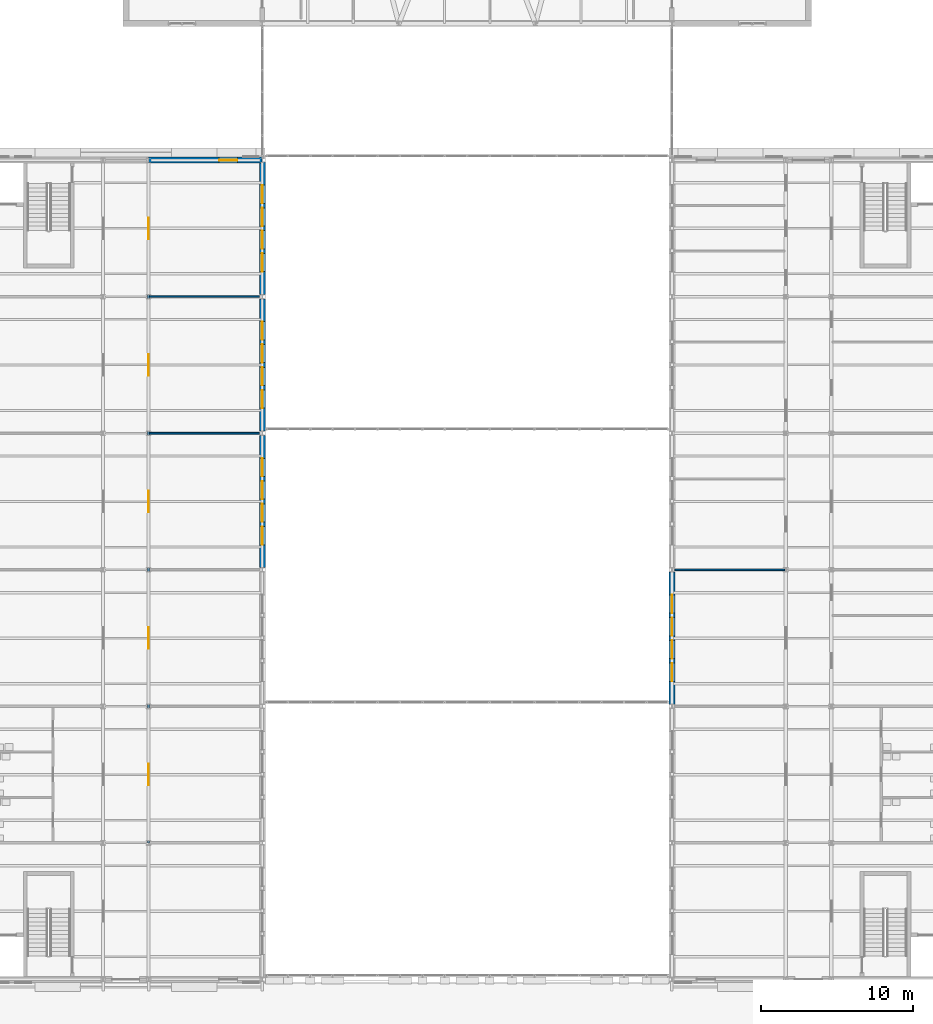
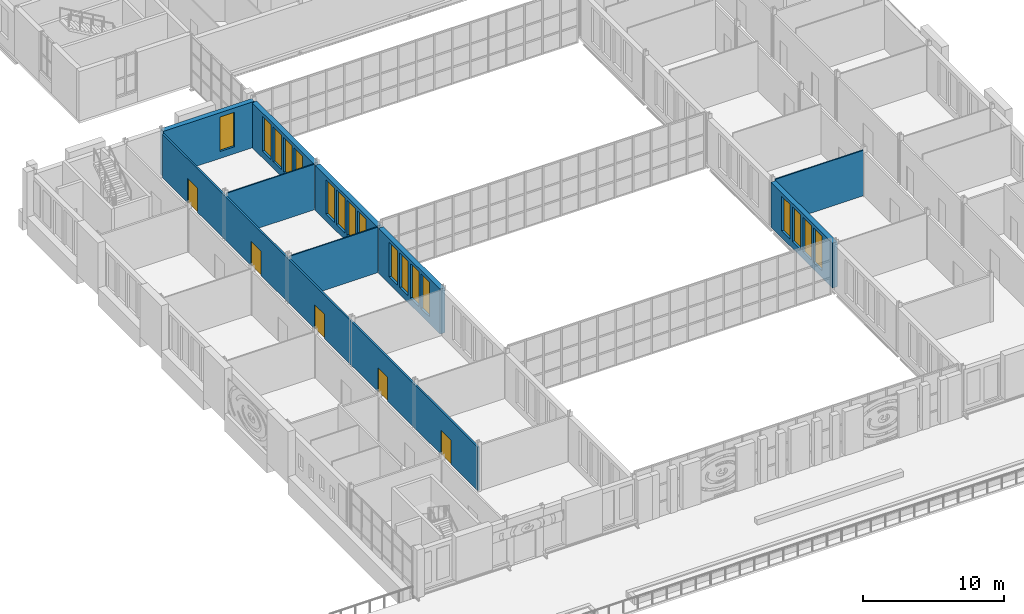
# One storey, part 76 of 134: 17 windows, 9 walls, 5 doors, 22 openings.
"""IFC4 building model written with IfcOpenShell, lengths in metres."""

from ifc_helpers import new_model, si_unit, direction, frame, frame_2d, origin, place, context, subcontext, project, spatial, rectangle, extrude, material, layer, layer_set, type_object, element, fill, save


model = new_model("IFC4")

# Units and contexts
model_context = context("Model", 3, precision=1e-05, world=origin(), true_north=direction((0.0, 1.0)))
body_context = subcontext(model_context, "Body", "Model", "MODEL_VIEW")
ifc_project = project(units=[si_unit("LENGTHUNIT", "METRE"), si_unit("AREAUNIT", "SQUARE_METRE"), si_unit("VOLUMEUNIT", "CUBIC_METRE"), si_unit("PLANEANGLEUNIT", "RADIAN"), si_unit("MASSUNIT", "GRAM", prefix="KILO")], contexts=[model_context])

# Site, building, storey
site_placement = place(None, origin())
site = spatial("IfcSite", under=ifc_project, at=site_placement, CompositionType="ELEMENT")
building_placement = place(site_placement, origin())
building = spatial("IfcBuilding", under=site, at=building_placement, Name="Golden Quay Civic Hall", CompositionType="ELEMENT")
storey_placement = place(building_placement, frame((0.0, 0.0, 5.39990234375)))
storey = spatial("IfcBuildingStorey", under=building, at=storey_placement, Name="L01", CompositionType="ELEMENT", Elevation=5.39990234375)

# Walls
ifc_material_1 = material(Name="Plasterboard on steel studs", Category="steel")
ifc_layer_1 = layer(ifc_material_1, 0.10009765625)
ifc_layer_set_1 = layer_set([ifc_layer_1], Name="Partition 100 stud")
wall_type_1 = type_object("IfcWallType", Name="Partition 100 stud", PredefinedType="PARTITIONING", material=ifc_layer_set_1)
for number, where, z_axis, x_axis, name in (
    (1, (64.574951171875, 36.0, 0.0), (0.0, 0.0, 1.0), (1.0, 0.0, 0.0), "Partition L01-007"),
    (2, (64.574951171875, 45.0, 0.0), (0.0, 0.0, 1.0), (1.0, 0.0, 0.0), "Partition L01-008"),
    (3, (99.199951171875, 27.0, 0.0), (0.0, 0.0, 1.0), (1.0, 0.0, 0.0), "Partition L01-008"),
):
    element("IfcWall", number, at=place(storey_placement, frame(where, z_axis=z_axis, x_axis=x_axis)), inside=storey, type_object=wall_type_1, Name=name, PredefinedType="PARTITIONING", context=body_context, shape_type="SweptSolid", body=[
        extrude(rectangle(XDim=7.22509765625, YDim=0.10009765625, at=frame_2d((3.612548828125, 0.0))), origin(), (0.0, 0.0, 1.0), 3.9501953125),
    ])

# Wall, openings, doors
ifc_material_2 = material(Name="Plasterboard on steel studs", Category="steel")
ifc_layer_2 = layer(ifc_material_2, 0.14990234375)
ifc_layer_set_2 = layer_set([ifc_layer_2], Name="Partition 150 stud fire EI 60")
wall_type_2 = type_object("IfcWallType", Name="Partition 150 stud fire EI 60", PredefinedType="PARTITIONING", material=ifc_layer_set_2)
wall_1_placement = place(storey_placement, frame((64.5, 9.0, 0.0), z_axis=(0.0, 0.0, 1.0), x_axis=(0.0, 1.0, 0.0)))
wall_1 = element("IfcWall", 4, at=wall_1_placement, inside=storey, type_object=wall_type_2, Name="Partition L01-011", PredefinedType="PARTITIONING", context=body_context, shape_type="SweptSolid", body=[
    extrude(rectangle(XDim=44.800048828125, YDim=0.14990234375, at=frame_2d((22.39990234375, 0.0))), origin(), (0.0, 0.0, 1.0), 3.780029296875),
])
opening_1_placement = place(wall_1_placement, frame((3.800048828125, 0.0, 0.0)))
opening_1 = element("IfcOpeningElement", 5, at=opening_1_placement, cuts=wall_1, Name="Opening L01-D094", PredefinedType="OPENING", context=body_context, shape_type="SweptSolid", body=[
    extrude(rectangle(XDim=1.39990234375, YDim=2.10009765625, at=frame_2d((0.699951171875, 1.050048828125))), frame((0.0, 0.0849609375, 0.0), z_axis=(0.0, -1.0, 0.0), x_axis=(1.0, 0.0, 0.0)), (0.0, 0.0, 1.0), 0.169921875),
])
opening_2_placement = place(wall_1_placement, frame((12.800048828125, 0.0, 0.0)))
opening_2 = element("IfcOpeningElement", 6, at=opening_2_placement, cuts=wall_1, Name="Opening L01-D095", PredefinedType="OPENING", context=body_context, shape_type="SweptSolid", body=[
    extrude(rectangle(XDim=1.39990234375, YDim=2.10009765625, at=frame_2d((0.699951171875, 1.050048828125))), frame((0.0, 0.0849609375, 0.0), z_axis=(0.0, -1.0, 0.0), x_axis=(1.0, 0.0, 0.0)), (0.0, 0.0, 1.0), 0.169921875),
])
opening_3_placement = place(wall_1_placement, frame((21.800048828125, 0.0, 0.0)))
opening_3 = element("IfcOpeningElement", 7, at=opening_3_placement, cuts=wall_1, Name="Opening L01-D096", PredefinedType="OPENING", context=body_context, shape_type="SweptSolid", body=[
    extrude(rectangle(XDim=1.39990234375, YDim=2.10009765625, at=frame_2d((0.699951171875, 1.050048828125))), frame((0.0, 0.0849609375, 0.0), z_axis=(0.0, -1.0, 0.0), x_axis=(1.0, 0.0, 0.0)), (0.0, 0.0, 1.0), 0.169921875),
])
opening_4_placement = place(wall_1_placement, frame((30.800048828125, 0.0, 0.0)))
opening_4 = element("IfcOpeningElement", 8, at=opening_4_placement, cuts=wall_1, Name="Opening L01-D097", PredefinedType="OPENING", context=body_context, shape_type="SweptSolid", body=[
    extrude(rectangle(XDim=1.39990234375, YDim=2.10009765625, at=frame_2d((0.699951171875, 1.050048828125))), frame((0.0, 0.0849609375, 0.0), z_axis=(0.0, -1.0, 0.0), x_axis=(1.0, 0.0, 0.0)), (0.0, 0.0, 1.0), 0.169921875),
])
opening_5_placement = place(wall_1_placement, frame((39.800048828125, 0.0, 0.0)))
opening_5 = element("IfcOpeningElement", 9, at=opening_5_placement, cuts=wall_1, Name="Opening L01-D098", PredefinedType="OPENING", context=body_context, shape_type="SweptSolid", body=[
    extrude(rectangle(XDim=1.39990234375, YDim=2.10009765625, at=frame_2d((0.699951171875, 1.050048828125))), frame((0.0, 0.0849609375, 0.0), z_axis=(0.0, -1.0, 0.0), x_axis=(1.0, 0.0, 0.0)), (0.0, 0.0, 1.0), 0.169921875),
])
ifc_material_3 = material(Name="Steel", Category="steel")
door_type = type_object("IfcDoorType", Name="Steel double fire door FD30S 1400 x 2100", OperationType="DOUBLE_DOOR_SINGLE_SWING", PredefinedType="DOOR", material=ifc_material_3)
door_1_placement = place(opening_1_placement, frame((1.39990234375, 0.0, 0.0), z_axis=(0.0, 0.0, 1.0), x_axis=(-1.0, 0.0, 0.0)))
door_1 = element("IfcDoor", 10, at=door_1_placement, inside=storey, type_object=door_type, Name="Door L01-D094", OperationType="DOUBLE_DOOR_SINGLE_SWING", OverallHeight=2.10009765625, OverallWidth=1.39990234375, PredefinedType="DOOR", context=body_context, shape_type="SweptSolid", body=[
    extrude(rectangle(XDim=1.39990234375, YDim=2.10009765625, at=frame_2d((0.699951171875, 1.050048828125))), frame((0.0, 0.025146484375, 0.0), z_axis=(0.0, -1.0, 0.0), x_axis=(1.0, 0.0, 0.0)), (0.0, 0.0, 1.0), 0.050048828125),
])
fill(opening_1, door_1)
door_2_placement = place(opening_2_placement, frame((1.39990234375, 0.0, 0.0), z_axis=(0.0, 0.0, 1.0), x_axis=(-1.0, 0.0, 0.0)))
door_2 = element("IfcDoor", 11, at=door_2_placement, inside=storey, type_object=door_type, Name="Door L01-D095", OperationType="DOUBLE_DOOR_SINGLE_SWING", OverallHeight=2.10009765625, OverallWidth=1.39990234375, PredefinedType="DOOR", context=body_context, shape_type="SweptSolid", body=[
    extrude(rectangle(XDim=1.39990234375, YDim=2.10009765625, at=frame_2d((0.699951171875, 1.050048828125))), frame((0.0, 0.025146484375, 0.0), z_axis=(0.0, -1.0, 0.0), x_axis=(1.0, 0.0, 0.0)), (0.0, 0.0, 1.0), 0.050048828125),
])
fill(opening_2, door_2)
door_3_placement = place(opening_3_placement, frame((1.39990234375, 0.0, 0.0), z_axis=(0.0, 0.0, 1.0), x_axis=(-1.0, 0.0, 0.0)))
door_3 = element("IfcDoor", 12, at=door_3_placement, inside=storey, type_object=door_type, Name="Door L01-D096", OperationType="DOUBLE_DOOR_SINGLE_SWING", OverallHeight=2.10009765625, OverallWidth=1.39990234375, PredefinedType="DOOR", context=body_context, shape_type="SweptSolid", body=[
    extrude(rectangle(XDim=1.39990234375, YDim=2.10009765625, at=frame_2d((0.699951171875, 1.050048828125))), frame((0.0, 0.025146484375, 0.0), z_axis=(0.0, -1.0, 0.0), x_axis=(1.0, 0.0, 0.0)), (0.0, 0.0, 1.0), 0.050048828125),
])
fill(opening_3, door_3)
door_4_placement = place(opening_4_placement, frame((1.39990234375, 0.0, 0.0), z_axis=(0.0, 0.0, 1.0), x_axis=(-1.0, 0.0, 0.0)))
door_4 = element("IfcDoor", 13, at=door_4_placement, inside=storey, type_object=door_type, Name="Door L01-D097", OperationType="DOUBLE_DOOR_SINGLE_SWING", OverallHeight=2.10009765625, OverallWidth=1.39990234375, PredefinedType="DOOR", context=body_context, shape_type="SweptSolid", body=[
    extrude(rectangle(XDim=1.39990234375, YDim=2.10009765625, at=frame_2d((0.699951171875, 1.050048828125))), frame((0.0, 0.025146484375, 0.0), z_axis=(0.0, -1.0, 0.0), x_axis=(1.0, 0.0, 0.0)), (0.0, 0.0, 1.0), 0.050048828125),
])
fill(opening_4, door_4)
door_5_placement = place(opening_5_placement, frame((1.39990234375, 0.0, 0.0), z_axis=(0.0, 0.0, 1.0), x_axis=(-1.0, 0.0, 0.0)))
door_5 = element("IfcDoor", 14, at=door_5_placement, inside=storey, type_object=door_type, Name="Door L01-D098", OperationType="DOUBLE_DOOR_SINGLE_SWING", OverallHeight=2.10009765625, OverallWidth=1.39990234375, PredefinedType="DOOR", context=body_context, shape_type="SweptSolid", body=[
    extrude(rectangle(XDim=1.39990234375, YDim=2.10009765625, at=frame_2d((0.699951171875, 1.050048828125))), frame((0.0, 0.025146484375, 0.0), z_axis=(0.0, -1.0, 0.0), x_axis=(1.0, 0.0, 0.0)), (0.0, 0.0, 1.0), 0.050048828125),
])
fill(opening_5, door_5)

# Wall, opening, window
ifc_material_4 = material(Name="Clay block, rendered, cream")
ifc_layer_3 = layer(ifc_material_4, 0.39990234375)
ifc_layer_set_3 = layer_set([ifc_layer_3], Name="Rendered block external wall 400")
wall_type_3 = type_object("IfcWallType", Name="Rendered block external wall 400", PredefinedType="STANDARD", material=ifc_layer_set_3)
wall_2_placement = place(storey_placement, frame((64.509033203125, 54.0, 0.0), z_axis=(0.0, 0.0, 1.0), x_axis=(1.0, 0.0, 0.0)))
wall_2 = element("IfcWall", 15, at=wall_2_placement, inside=storey, type_object=wall_type_3, Name="Rendered block external wall 400 L01 26", PredefinedType="STANDARD", context=body_context, shape_type="SweptSolid", body=[
    extrude(rectangle(XDim=7.48193359375, YDim=0.39990234375, at=frame_2d((3.740966796875, 0.0))), origin(), (0.0, 0.0, 1.0), 3.97021484375),
])
opening_6_placement = place(wall_2_placement, frame((4.64111328125, 0.0, 0.60009765625)))
opening_6 = element("IfcOpeningElement", 16, at=opening_6_placement, cuts=wall_2, Name="Opening WN5", PredefinedType="OPENING", context=body_context, shape_type="SweptSolid", body=[
    extrude(rectangle(XDim=1.199951171875, YDim=3.0, at=frame_2d((0.60009765625, 1.5))), frame((0.0, 0.2099609375, 0.0), z_axis=(0.0, -1.0, 0.0), x_axis=(1.0, 0.0, 0.0)), (0.0, 0.0, 1.0), 0.419921875),
])
ifc_material_5 = material(Name="Aluminium frame, double glazed", Category="aluminium")
window_type = type_object("IfcWindowType", Name="Golden grid window 1200 x 3000", PartitioningType="SINGLE_PANEL", PredefinedType="WINDOW", material=ifc_material_5)
window_1_placement = place(opening_6_placement, origin())
window_1 = element("IfcWindow", 17, at=window_1_placement, inside=storey, type_object=window_type, Name="Golden grid window 1200 x 3000 L01 44", OverallHeight=3.0, OverallWidth=1.199951171875, PartitioningType="SINGLE_PANEL", PredefinedType="WINDOW", context=body_context, shape_type="SweptSolid", body=[
    extrude(rectangle(XDim=1.199951171875, YDim=3.0, at=frame_2d((0.60009765625, 1.5))), frame((0.0, 0.030029296875, 0.0), z_axis=(0.0, -1.0, 0.0), x_axis=(1.0, 0.0, 0.0)), (0.0, 0.0, 1.0), 0.06005859375),
])
fill(opening_6, window_1)

# Wall, openings, windows
wall_3_placement = place(storey_placement, frame((72.0, 35.864990234375, 0.0), z_axis=(0.0, 0.0, 1.0), x_axis=(0.0, -1.0, 0.0)))
wall_3 = element("IfcWall", 18, at=wall_3_placement, inside=storey, type_object=wall_type_3, Name="Rendered block external wall 400 L01 30", PredefinedType="STANDARD", context=body_context, shape_type="SweptSolid", body=[
    extrude(rectangle(XDim=8.72998046875, YDim=0.39990234375, at=frame_2d((4.364990234375, 0.0))), origin(), (0.0, 0.0, 1.0), 3.900146484375),
])
opening_7_placement = place(wall_3_placement, frame((6.014892578125, 0.0, 0.60009765625)))
opening_7 = element("IfcOpeningElement", 19, at=opening_7_placement, cuts=wall_3, Name="Opening WN5", PredefinedType="OPENING", context=body_context, shape_type="SweptSolid", body=[
    extrude(rectangle(XDim=1.199951171875, YDim=3.0, at=frame_2d((0.60009765625, 1.5))), frame((0.0, 0.2099609375, 0.0), z_axis=(0.0, -1.0, 0.0), x_axis=(1.0, 0.0, 0.0)), (0.0, 0.0, 1.0), 0.419921875),
])
opening_8_placement = place(wall_3_placement, frame((4.514892578125, 0.0, 0.60009765625)))
opening_8 = element("IfcOpeningElement", 20, at=opening_8_placement, cuts=wall_3, Name="Opening WN5", PredefinedType="OPENING", context=body_context, shape_type="SweptSolid", body=[
    extrude(rectangle(XDim=1.199951171875, YDim=3.0, at=frame_2d((0.60009765625, 1.5))), frame((0.0, 0.2099609375, 0.0), z_axis=(0.0, -1.0, 0.0), x_axis=(1.0, 0.0, 0.0)), (0.0, 0.0, 1.0), 0.419921875),
])
opening_9_placement = place(wall_3_placement, frame((3.014892578125, 0.0, 0.60009765625)))
opening_9 = element("IfcOpeningElement", 21, at=opening_9_placement, cuts=wall_3, Name="Opening WN5", PredefinedType="OPENING", context=body_context, shape_type="SweptSolid", body=[
    extrude(rectangle(XDim=1.199951171875, YDim=3.0, at=frame_2d((0.60009765625, 1.5))), frame((0.0, 0.2099609375, 0.0), z_axis=(0.0, -1.0, 0.0), x_axis=(1.0, 0.0, 0.0)), (0.0, 0.0, 1.0), 0.419921875),
])
opening_10_placement = place(wall_3_placement, frame((1.514892578125, 0.0, 0.60009765625)))
opening_10 = element("IfcOpeningElement", 22, at=opening_10_placement, cuts=wall_3, Name="Opening WN5", PredefinedType="OPENING", context=body_context, shape_type="SweptSolid", body=[
    extrude(rectangle(XDim=1.199951171875, YDim=3.0, at=frame_2d((0.60009765625, 1.5))), frame((0.0, 0.2099609375, 0.0), z_axis=(0.0, -1.0, 0.0), x_axis=(1.0, 0.0, 0.0)), (0.0, 0.0, 1.0), 0.419921875),
])
window_2_placement = place(opening_7_placement, origin())
window_2 = element("IfcWindow", 23, at=window_2_placement, inside=storey, type_object=window_type, Name="Golden grid window 1200 x 3000 L01 57", OverallHeight=3.0, OverallWidth=1.199951171875, PartitioningType="SINGLE_PANEL", PredefinedType="WINDOW", context=body_context, shape_type="SweptSolid", body=[
    extrude(rectangle(XDim=1.199951171875, YDim=3.0, at=frame_2d((0.60009765625, 1.5))), frame((0.0, 0.030029296875, 0.0), z_axis=(0.0, -1.0, 0.0), x_axis=(1.0, 0.0, 0.0)), (0.0, 0.0, 1.0), 0.06005859375),
])
fill(opening_7, window_2)
window_3_placement = place(opening_8_placement, origin())
window_3 = element("IfcWindow", 24, at=window_3_placement, inside=storey, type_object=window_type, Name="Golden grid window 1200 x 3000 L01 58", OverallHeight=3.0, OverallWidth=1.199951171875, PartitioningType="SINGLE_PANEL", PredefinedType="WINDOW", context=body_context, shape_type="SweptSolid", body=[
    extrude(rectangle(XDim=1.199951171875, YDim=3.0, at=frame_2d((0.60009765625, 1.5))), frame((0.0, 0.030029296875, 0.0), z_axis=(0.0, -1.0, 0.0), x_axis=(1.0, 0.0, 0.0)), (0.0, 0.0, 1.0), 0.06005859375),
])
fill(opening_8, window_3)
window_4_placement = place(opening_9_placement, origin())
window_4 = element("IfcWindow", 25, at=window_4_placement, inside=storey, type_object=window_type, Name="Golden grid window 1200 x 3000 L01 59", OverallHeight=3.0, OverallWidth=1.199951171875, PartitioningType="SINGLE_PANEL", PredefinedType="WINDOW", context=body_context, shape_type="SweptSolid", body=[
    extrude(rectangle(XDim=1.199951171875, YDim=3.0, at=frame_2d((0.60009765625, 1.5))), frame((0.0, 0.030029296875, 0.0), z_axis=(0.0, -1.0, 0.0), x_axis=(1.0, 0.0, 0.0)), (0.0, 0.0, 1.0), 0.06005859375),
])
fill(opening_9, window_4)
window_5_placement = place(opening_10_placement, origin())
window_5 = element("IfcWindow", 26, at=window_5_placement, inside=storey, type_object=window_type, Name="Golden grid window 1200 x 3000 L01 60", OverallHeight=3.0, OverallWidth=1.199951171875, PartitioningType="SINGLE_PANEL", PredefinedType="WINDOW", context=body_context, shape_type="SweptSolid", body=[
    extrude(rectangle(XDim=1.199951171875, YDim=3.0, at=frame_2d((0.60009765625, 1.5))), frame((0.0, 0.030029296875, 0.0), z_axis=(0.0, -1.0, 0.0), x_axis=(1.0, 0.0, 0.0)), (0.0, 0.0, 1.0), 0.06005859375),
])
fill(opening_10, window_5)

wall_4_placement = place(storey_placement, frame((72.0, 44.864990234375, 0.0), z_axis=(0.0, 0.0, 1.0), x_axis=(0.0, -1.0, 0.0)))
wall_4 = element("IfcWall", 27, at=wall_4_placement, inside=storey, type_object=wall_type_3, Name="Rendered block external wall 400 L01 31", PredefinedType="STANDARD", context=body_context, shape_type="SweptSolid", body=[
    extrude(rectangle(XDim=8.72998046875, YDim=0.39990234375, at=frame_2d((4.364990234375, 0.0))), origin(), (0.0, 0.0, 1.0), 3.900146484375),
])
opening_11_placement = place(wall_4_placement, frame((6.014892578125, 0.0, 0.60009765625)))
opening_11 = element("IfcOpeningElement", 28, at=opening_11_placement, cuts=wall_4, Name="Opening WN5", PredefinedType="OPENING", context=body_context, shape_type="SweptSolid", body=[
    extrude(rectangle(XDim=1.199951171875, YDim=3.0, at=frame_2d((0.60009765625, 1.5))), frame((0.0, 0.2099609375, 0.0), z_axis=(0.0, -1.0, 0.0), x_axis=(1.0, 0.0, 0.0)), (0.0, 0.0, 1.0), 0.419921875),
])
opening_12_placement = place(wall_4_placement, frame((4.514892578125, 0.0, 0.60009765625)))
opening_12 = element("IfcOpeningElement", 29, at=opening_12_placement, cuts=wall_4, Name="Opening WN5", PredefinedType="OPENING", context=body_context, shape_type="SweptSolid", body=[
    extrude(rectangle(XDim=1.199951171875, YDim=3.0, at=frame_2d((0.60009765625, 1.5))), frame((0.0, 0.2099609375, 0.0), z_axis=(0.0, -1.0, 0.0), x_axis=(1.0, 0.0, 0.0)), (0.0, 0.0, 1.0), 0.419921875),
])
opening_13_placement = place(wall_4_placement, frame((3.014892578125, 0.0, 0.60009765625)))
opening_13 = element("IfcOpeningElement", 30, at=opening_13_placement, cuts=wall_4, Name="Opening WN5", PredefinedType="OPENING", context=body_context, shape_type="SweptSolid", body=[
    extrude(rectangle(XDim=1.199951171875, YDim=3.0, at=frame_2d((0.60009765625, 1.5))), frame((0.0, 0.2099609375, 0.0), z_axis=(0.0, -1.0, 0.0), x_axis=(1.0, 0.0, 0.0)), (0.0, 0.0, 1.0), 0.419921875),
])
opening_14_placement = place(wall_4_placement, frame((1.514892578125, 0.0, 0.60009765625)))
opening_14 = element("IfcOpeningElement", 31, at=opening_14_placement, cuts=wall_4, Name="Opening WN5", PredefinedType="OPENING", context=body_context, shape_type="SweptSolid", body=[
    extrude(rectangle(XDim=1.199951171875, YDim=3.0, at=frame_2d((0.60009765625, 1.5))), frame((0.0, 0.2099609375, 0.0), z_axis=(0.0, -1.0, 0.0), x_axis=(1.0, 0.0, 0.0)), (0.0, 0.0, 1.0), 0.419921875),
])
window_6_placement = place(opening_11_placement, origin())
window_6 = element("IfcWindow", 32, at=window_6_placement, inside=storey, type_object=window_type, Name="Golden grid window 1200 x 3000 L01 61", OverallHeight=3.0, OverallWidth=1.199951171875, PartitioningType="SINGLE_PANEL", PredefinedType="WINDOW", context=body_context, shape_type="SweptSolid", body=[
    extrude(rectangle(XDim=1.199951171875, YDim=3.0, at=frame_2d((0.60009765625, 1.5))), frame((0.0, 0.030029296875, 0.0), z_axis=(0.0, -1.0, 0.0), x_axis=(1.0, 0.0, 0.0)), (0.0, 0.0, 1.0), 0.06005859375),
])
fill(opening_11, window_6)
window_7_placement = place(opening_12_placement, origin())
window_7 = element("IfcWindow", 33, at=window_7_placement, inside=storey, type_object=window_type, Name="Golden grid window 1200 x 3000 L01 62", OverallHeight=3.0, OverallWidth=1.199951171875, PartitioningType="SINGLE_PANEL", PredefinedType="WINDOW", context=body_context, shape_type="SweptSolid", body=[
    extrude(rectangle(XDim=1.199951171875, YDim=3.0, at=frame_2d((0.60009765625, 1.5))), frame((0.0, 0.030029296875, 0.0), z_axis=(0.0, -1.0, 0.0), x_axis=(1.0, 0.0, 0.0)), (0.0, 0.0, 1.0), 0.06005859375),
])
fill(opening_12, window_7)
window_8_placement = place(opening_13_placement, origin())
window_8 = element("IfcWindow", 34, at=window_8_placement, inside=storey, type_object=window_type, Name="Golden grid window 1200 x 3000 L01 63", OverallHeight=3.0, OverallWidth=1.199951171875, PartitioningType="SINGLE_PANEL", PredefinedType="WINDOW", context=body_context, shape_type="SweptSolid", body=[
    extrude(rectangle(XDim=1.199951171875, YDim=3.0, at=frame_2d((0.60009765625, 1.5))), frame((0.0, 0.030029296875, 0.0), z_axis=(0.0, -1.0, 0.0), x_axis=(1.0, 0.0, 0.0)), (0.0, 0.0, 1.0), 0.06005859375),
])
fill(opening_13, window_8)
window_9_placement = place(opening_14_placement, origin())
window_9 = element("IfcWindow", 35, at=window_9_placement, inside=storey, type_object=window_type, Name="Golden grid window 1200 x 3000 L01 64", OverallHeight=3.0, OverallWidth=1.199951171875, PartitioningType="SINGLE_PANEL", PredefinedType="WINDOW", context=body_context, shape_type="SweptSolid", body=[
    extrude(rectangle(XDim=1.199951171875, YDim=3.0, at=frame_2d((0.60009765625, 1.5))), frame((0.0, 0.030029296875, 0.0), z_axis=(0.0, -1.0, 0.0), x_axis=(1.0, 0.0, 0.0)), (0.0, 0.0, 1.0), 0.06005859375),
])
fill(opening_14, window_9)

wall_5_placement = place(storey_placement, frame((72.0, 53.864990234375, 0.0), z_axis=(0.0, 0.0, 1.0), x_axis=(0.0, -1.0, 0.0)))
wall_5 = element("IfcWall", 36, at=wall_5_placement, inside=storey, type_object=wall_type_3, Name="Rendered block external wall 400 L01 32", PredefinedType="STANDARD", context=body_context, shape_type="SweptSolid", body=[
    extrude(rectangle(XDim=8.72998046875, YDim=0.39990234375, at=frame_2d((4.364990234375, 0.0))), origin(), (0.0, 0.0, 1.0), 3.900146484375),
])
opening_15_placement = place(wall_5_placement, frame((6.014892578125, 0.0, 0.60009765625)))
opening_15 = element("IfcOpeningElement", 37, at=opening_15_placement, cuts=wall_5, Name="Opening WN5", PredefinedType="OPENING", context=body_context, shape_type="SweptSolid", body=[
    extrude(rectangle(XDim=1.199951171875, YDim=3.0, at=frame_2d((0.60009765625, 1.5))), frame((0.0, 0.2099609375, 0.0), z_axis=(0.0, -1.0, 0.0), x_axis=(1.0, 0.0, 0.0)), (0.0, 0.0, 1.0), 0.419921875),
])
opening_16_placement = place(wall_5_placement, frame((4.514892578125, 0.0, 0.60009765625)))
opening_16 = element("IfcOpeningElement", 38, at=opening_16_placement, cuts=wall_5, Name="Opening WN5", PredefinedType="OPENING", context=body_context, shape_type="SweptSolid", body=[
    extrude(rectangle(XDim=1.199951171875, YDim=3.0, at=frame_2d((0.60009765625, 1.5))), frame((0.0, 0.2099609375, 0.0), z_axis=(0.0, -1.0, 0.0), x_axis=(1.0, 0.0, 0.0)), (0.0, 0.0, 1.0), 0.419921875),
])
opening_17_placement = place(wall_5_placement, frame((3.014892578125, 0.0, 0.60009765625)))
opening_17 = element("IfcOpeningElement", 39, at=opening_17_placement, cuts=wall_5, Name="Opening WN5", PredefinedType="OPENING", context=body_context, shape_type="SweptSolid", body=[
    extrude(rectangle(XDim=1.199951171875, YDim=3.0, at=frame_2d((0.60009765625, 1.5))), frame((0.0, 0.2099609375, 0.0), z_axis=(0.0, -1.0, 0.0), x_axis=(1.0, 0.0, 0.0)), (0.0, 0.0, 1.0), 0.419921875),
])
opening_18_placement = place(wall_5_placement, frame((1.514892578125, 0.0, 0.60009765625)))
opening_18 = element("IfcOpeningElement", 40, at=opening_18_placement, cuts=wall_5, Name="Opening WN5", PredefinedType="OPENING", context=body_context, shape_type="SweptSolid", body=[
    extrude(rectangle(XDim=1.199951171875, YDim=3.0, at=frame_2d((0.60009765625, 1.5))), frame((0.0, 0.2099609375, 0.0), z_axis=(0.0, -1.0, 0.0), x_axis=(1.0, 0.0, 0.0)), (0.0, 0.0, 1.0), 0.419921875),
])
window_10_placement = place(opening_15_placement, origin())
window_10 = element("IfcWindow", 41, at=window_10_placement, inside=storey, type_object=window_type, Name="Golden grid window 1200 x 3000 L01 65", OverallHeight=3.0, OverallWidth=1.199951171875, PartitioningType="SINGLE_PANEL", PredefinedType="WINDOW", context=body_context, shape_type="SweptSolid", body=[
    extrude(rectangle(XDim=1.199951171875, YDim=3.0, at=frame_2d((0.60009765625, 1.5))), frame((0.0, 0.030029296875, 0.0), z_axis=(0.0, -1.0, 0.0), x_axis=(1.0, 0.0, 0.0)), (0.0, 0.0, 1.0), 0.06005859375),
])
fill(opening_15, window_10)
window_11_placement = place(opening_16_placement, origin())
window_11 = element("IfcWindow", 42, at=window_11_placement, inside=storey, type_object=window_type, Name="Golden grid window 1200 x 3000 L01 66", OverallHeight=3.0, OverallWidth=1.199951171875, PartitioningType="SINGLE_PANEL", PredefinedType="WINDOW", context=body_context, shape_type="SweptSolid", body=[
    extrude(rectangle(XDim=1.199951171875, YDim=3.0, at=frame_2d((0.60009765625, 1.5))), frame((0.0, 0.030029296875, 0.0), z_axis=(0.0, -1.0, 0.0), x_axis=(1.0, 0.0, 0.0)), (0.0, 0.0, 1.0), 0.06005859375),
])
fill(opening_16, window_11)
window_12_placement = place(opening_17_placement, origin())
window_12 = element("IfcWindow", 43, at=window_12_placement, inside=storey, type_object=window_type, Name="Golden grid window 1200 x 3000 L01 67", OverallHeight=3.0, OverallWidth=1.199951171875, PartitioningType="SINGLE_PANEL", PredefinedType="WINDOW", context=body_context, shape_type="SweptSolid", body=[
    extrude(rectangle(XDim=1.199951171875, YDim=3.0, at=frame_2d((0.60009765625, 1.5))), frame((0.0, 0.030029296875, 0.0), z_axis=(0.0, -1.0, 0.0), x_axis=(1.0, 0.0, 0.0)), (0.0, 0.0, 1.0), 0.06005859375),
])
fill(opening_17, window_12)
window_13_placement = place(opening_18_placement, origin())
window_13 = element("IfcWindow", 44, at=window_13_placement, inside=storey, type_object=window_type, Name="Golden grid window 1200 x 3000 L01 68", OverallHeight=3.0, OverallWidth=1.199951171875, PartitioningType="SINGLE_PANEL", PredefinedType="WINDOW", context=body_context, shape_type="SweptSolid", body=[
    extrude(rectangle(XDim=1.199951171875, YDim=3.0, at=frame_2d((0.60009765625, 1.5))), frame((0.0, 0.030029296875, 0.0), z_axis=(0.0, -1.0, 0.0), x_axis=(1.0, 0.0, 0.0)), (0.0, 0.0, 1.0), 0.06005859375),
])
fill(opening_18, window_13)

wall_6_placement = place(storey_placement, frame((99.0, 18.135009765625, 0.0), z_axis=(0.0, 0.0, 1.0), x_axis=(0.0, 1.0, 0.0)))
wall_6 = element("IfcWall", 45, at=wall_6_placement, inside=storey, type_object=wall_type_3, Name="Rendered block external wall 400 L01 37", PredefinedType="STANDARD", context=body_context, shape_type="SweptSolid", body=[
    extrude(rectangle(XDim=8.72998046875, YDim=0.39990234375, at=frame_2d((4.364990234375, 0.0))), origin(), (0.0, 0.0, 1.0), 3.900146484375),
])
opening_19_placement = place(wall_6_placement, frame((1.514892578125, 0.0, 0.60009765625)))
opening_19 = element("IfcOpeningElement", 46, at=opening_19_placement, cuts=wall_6, Name="Opening WN5", PredefinedType="OPENING", context=body_context, shape_type="SweptSolid", body=[
    extrude(rectangle(XDim=1.199951171875, YDim=3.0, at=frame_2d((0.60009765625, 1.5))), frame((0.0, 0.2099609375, 0.0), z_axis=(0.0, -1.0, 0.0), x_axis=(1.0, 0.0, 0.0)), (0.0, 0.0, 1.0), 0.419921875),
])
opening_20_placement = place(wall_6_placement, frame((3.014892578125, 0.0, 0.60009765625)))
opening_20 = element("IfcOpeningElement", 47, at=opening_20_placement, cuts=wall_6, Name="Opening WN5", PredefinedType="OPENING", context=body_context, shape_type="SweptSolid", body=[
    extrude(rectangle(XDim=1.199951171875, YDim=3.0, at=frame_2d((0.60009765625, 1.5))), frame((0.0, 0.2099609375, 0.0), z_axis=(0.0, -1.0, 0.0), x_axis=(1.0, 0.0, 0.0)), (0.0, 0.0, 1.0), 0.419921875),
])
opening_21_placement = place(wall_6_placement, frame((4.514892578125, 0.0, 0.60009765625)))
opening_21 = element("IfcOpeningElement", 48, at=opening_21_placement, cuts=wall_6, Name="Opening WN5", PredefinedType="OPENING", context=body_context, shape_type="SweptSolid", body=[
    extrude(rectangle(XDim=1.199951171875, YDim=3.0, at=frame_2d((0.60009765625, 1.5))), frame((0.0, 0.2099609375, 0.0), z_axis=(0.0, -1.0, 0.0), x_axis=(1.0, 0.0, 0.0)), (0.0, 0.0, 1.0), 0.419921875),
])
opening_22_placement = place(wall_6_placement, frame((6.014892578125, 0.0, 0.60009765625)))
opening_22 = element("IfcOpeningElement", 49, at=opening_22_placement, cuts=wall_6, Name="Opening WN5", PredefinedType="OPENING", context=body_context, shape_type="SweptSolid", body=[
    extrude(rectangle(XDim=1.199951171875, YDim=3.0, at=frame_2d((0.60009765625, 1.5))), frame((0.0, 0.2099609375, 0.0), z_axis=(0.0, -1.0, 0.0), x_axis=(1.0, 0.0, 0.0)), (0.0, 0.0, 1.0), 0.419921875),
])
window_14_placement = place(opening_19_placement, origin())
window_14 = element("IfcWindow", 50, at=window_14_placement, inside=storey, type_object=window_type, Name="Golden grid window 1200 x 3000 L01 78", OverallHeight=3.0, OverallWidth=1.199951171875, PartitioningType="SINGLE_PANEL", PredefinedType="WINDOW", context=body_context, shape_type="SweptSolid", body=[
    extrude(rectangle(XDim=1.199951171875, YDim=3.0, at=frame_2d((0.60009765625, 1.5))), frame((0.0, 0.030029296875, 0.0), z_axis=(0.0, -1.0, 0.0), x_axis=(1.0, 0.0, 0.0)), (0.0, 0.0, 1.0), 0.06005859375),
])
fill(opening_19, window_14)
window_15_placement = place(opening_20_placement, origin())
window_15 = element("IfcWindow", 51, at=window_15_placement, inside=storey, type_object=window_type, Name="Golden grid window 1200 x 3000 L01 79", OverallHeight=3.0, OverallWidth=1.199951171875, PartitioningType="SINGLE_PANEL", PredefinedType="WINDOW", context=body_context, shape_type="SweptSolid", body=[
    extrude(rectangle(XDim=1.199951171875, YDim=3.0, at=frame_2d((0.60009765625, 1.5))), frame((0.0, 0.030029296875, 0.0), z_axis=(0.0, -1.0, 0.0), x_axis=(1.0, 0.0, 0.0)), (0.0, 0.0, 1.0), 0.06005859375),
])
fill(opening_20, window_15)
window_16_placement = place(opening_21_placement, origin())
window_16 = element("IfcWindow", 52, at=window_16_placement, inside=storey, type_object=window_type, Name="Golden grid window 1200 x 3000 L01 80", OverallHeight=3.0, OverallWidth=1.199951171875, PartitioningType="SINGLE_PANEL", PredefinedType="WINDOW", context=body_context, shape_type="SweptSolid", body=[
    extrude(rectangle(XDim=1.199951171875, YDim=3.0, at=frame_2d((0.60009765625, 1.5))), frame((0.0, 0.030029296875, 0.0), z_axis=(0.0, -1.0, 0.0), x_axis=(1.0, 0.0, 0.0)), (0.0, 0.0, 1.0), 0.06005859375),
])
fill(opening_21, window_16)
window_17_placement = place(opening_22_placement, origin())
window_17 = element("IfcWindow", 53, at=window_17_placement, inside=storey, type_object=window_type, Name="Golden grid window 1200 x 3000 L01 81", OverallHeight=3.0, OverallWidth=1.199951171875, PartitioningType="SINGLE_PANEL", PredefinedType="WINDOW", context=body_context, shape_type="SweptSolid", body=[
    extrude(rectangle(XDim=1.199951171875, YDim=3.0, at=frame_2d((0.60009765625, 1.5))), frame((0.0, 0.030029296875, 0.0), z_axis=(0.0, -1.0, 0.0), x_axis=(1.0, 0.0, 0.0)), (0.0, 0.0, 1.0), 0.06005859375),
])
fill(opening_22, window_17)

save(model, "model.ifc")
